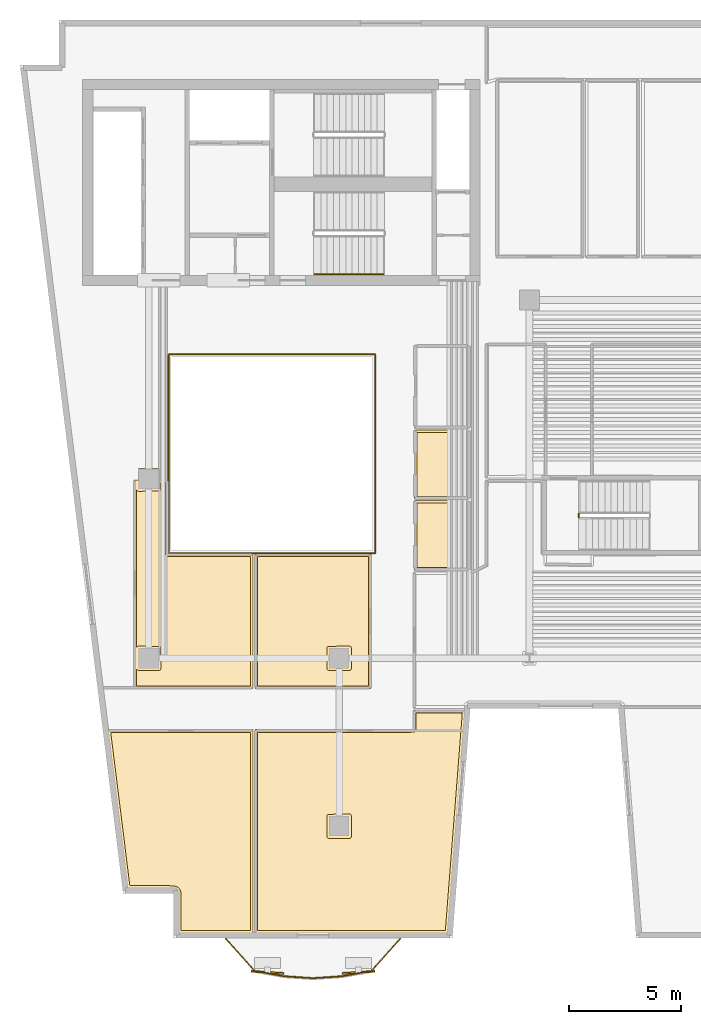
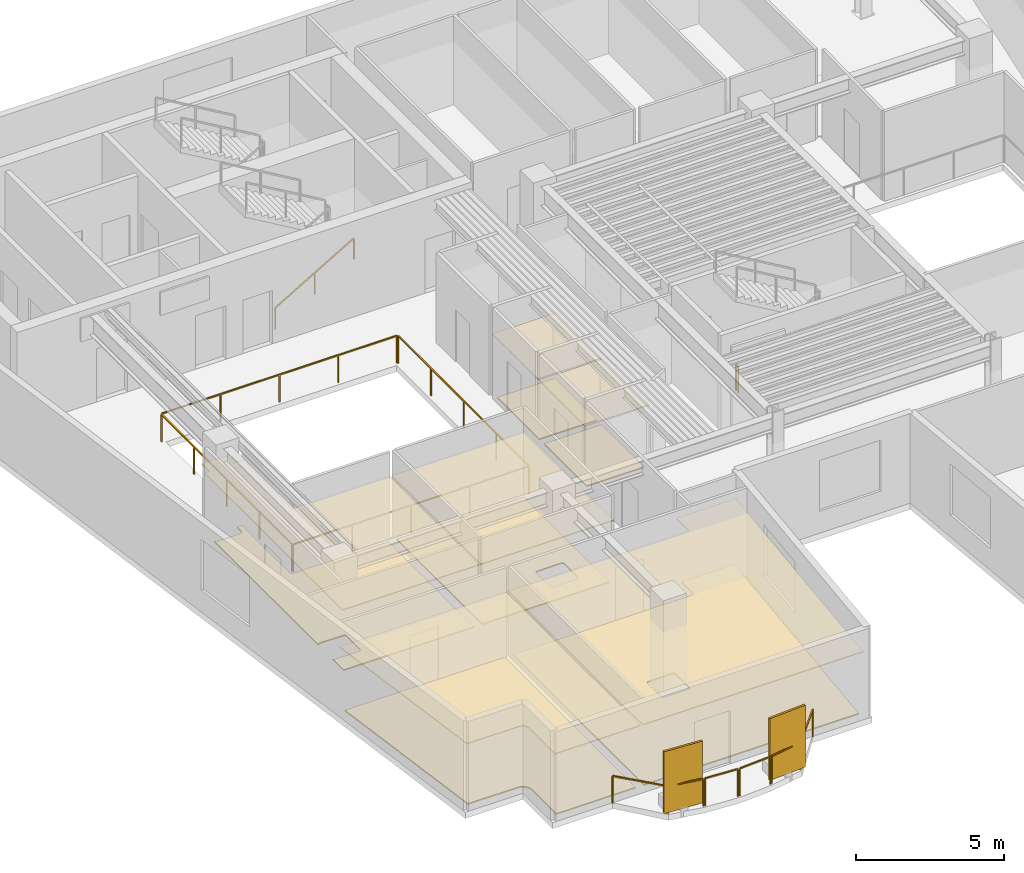
# One storey, part 7 of 9: 12 coverings, 12 railings, 2 shading devices.
"""IFC4 building model written with IfcOpenShell, lengths in metres."""

from ifc_helpers import new_model, si_unit, direction, frame, origin, origin_2d, place, context, subcontext, project, spatial, polyline, rectangle, outline, extrude, material, layer, layer_set, type_object, element, save


model = new_model("IFC4")

# Units and contexts
model_context = context("Model", 3, precision=1e-05, world=origin(), true_north=direction((0.0, 1.0)))
body_context = subcontext(model_context, "Body", "Model", "MODEL_VIEW")
ifc_project = project(units=[si_unit("LENGTHUNIT", "METRE"), si_unit("AREAUNIT", "SQUARE_METRE"), si_unit("VOLUMEUNIT", "CUBIC_METRE"), si_unit("PLANEANGLEUNIT", "RADIAN"), si_unit("MASSUNIT", "GRAM", prefix="KILO")], contexts=[model_context])

# Site, building, storey
site_placement = place(None, origin())
site = spatial("IfcSite", under=ifc_project, at=site_placement, CompositionType="ELEMENT")
building_placement = place(site_placement, origin())
building = spatial("IfcBuilding", under=site, at=building_placement, Name="Caeloran Harvest Quay", CompositionType="ELEMENT")
storey_placement = place(building_placement, frame((0.0, 0.0, 195.60009765625)))
storey = spatial("IfcBuildingStorey", under=building, at=storey_placement, Name="L46", CompositionType="ELEMENT", Elevation=195.60009765625)

# Coverings
ifc_material_1 = material(Name="Perforated Mineral-Fibre Acoustic Ceiling Tile", Category="ceiling")
ifc_layer_1 = layer(ifc_material_1, 0.0400390625, Name="Perforated Mineral-Fibre Acoustic Ceiling Tile")
ifc_layer_set_1 = layer_set([ifc_layer_1], Name="Perforated Mineral-Fibre Acoustic Ceiling Tile")
covering_type_1 = type_object("IfcCoveringType", Name="COV-CEILING-ACOUSTIC", PredefinedType="CEILING", material=ifc_layer_set_1)
covering_1_placement = place(storey_placement, frame((0.0, 0.0, 2.599853515625)))
element("IfcCovering", 1, at=covering_1_placement, inside=storey, type_object=covering_type_1, Name="L46 Female Washroom WC Acoustic Ceiling", PredefinedType="CEILING", context=body_context, shape_type="SweptSolid", body=[
    extrude(outline(polyline([(22.840087890625, 25.18994140625), (22.840087890625, 22.110107421875), (20.360107421875, 22.110107421875), (20.360107421875, 25.18994140625), (22.840087890625, 25.18994140625)])), origin(), (0.0, 0.0, 1.0), 0.0400390625),
])
covering_2_placement = place(storey_placement, frame((0.0, 0.0, 2.599853515625)))
element("IfcCovering", 2, at=covering_2_placement, inside=storey, type_object=covering_type_1, Name="L46 Accessible Unisex Washroom WC Acoustic Ceiling", PredefinedType="CEILING", context=body_context, shape_type="SweptSolid", body=[
    extrude(outline(polyline([(22.840087890625, 22.0400390625), (22.840087890625, 18.919921875), (20.360107421875, 18.919921875), (20.360107421875, 22.0400390625), (22.840087890625, 22.0400390625)])), origin(), (0.0, 0.0, 1.0), 0.0400390625),
])
covering_3_placement = place(storey_placement, frame((0.0, 0.0, 2.599853515625)))
element("IfcCovering", 3, at=covering_3_placement, inside=storey, type_object=covering_type_1, Name="Green-Bond Investment Office Acoustic Ceiling", PredefinedType="CEILING", context=body_context, shape_type="SweptSolid", body=[
    extrude(outline(polyline([(20.31005859375, 12.679931640625), (22.630859375, 12.679931640625), (21.853515625, 2.719970703125), (13.239990234375, 2.719970703125), (13.239990234375, 11.81005859375), (20.31005859375, 11.81005859375), (20.31005859375, 12.679931640625)])), origin(), (0.0, 0.0, 1.0), 0.0400390625),
])
covering_4_placement = place(storey_placement, frame((0.0, 0.0, 2.599853515625)))
element("IfcCovering", 4, at=covering_4_placement, inside=storey, type_object=covering_type_1, Name="ESG Carbon Desk Workspace Acoustic Ceiling", PredefinedType="CEILING", context=body_context, shape_type="SweptSolid", body=[
    extrude(outline(polyline([(9.80615234375, 4.584228515625), (9.742431640625, 4.669921875), (9.62451171875, 4.718994140625), (7.54833984375, 4.719970703125), (6.666015625, 11.81005859375), (13.159912109375, 11.81005859375), (13.159912109375, 2.719970703125), (9.822998046875, 2.719970703125), (9.822998046875, 4.4990234375), (9.80615234375, 4.584228515625)])), origin(), (0.0, 0.0, 1.0), 0.0400390625),
])
covering_5_placement = place(storey_placement, frame((0.0, 0.0, 2.599853515625)))
element("IfcCovering", 5, at=covering_5_placement, inside=storey, type_object=covering_type_1, Name="Executive Partner Office Acoustic Ceiling", PredefinedType="CEILING", context=body_context, shape_type="SweptSolid", body=[
    extrude(outline(polyline([(18.429931640625, 13.639892578125), (13.239990234375, 13.639892578125), (13.239990234375, 19.659912109375), (18.429931640625, 19.659912109375), (18.429931640625, 13.639892578125)])), origin(), (0.0, 0.0, 1.0), 0.0400390625),
])
covering_6_placement = place(storey_placement, frame((0.0, 0.0, 2.599853515625)))
element("IfcCovering", 6, at=covering_6_placement, inside=storey, type_object=covering_type_1, Name="Client Pitch Conference Room Acoustic Ceiling", PredefinedType="CEILING", context=body_context, shape_type="SweptSolid", body=[
    extrude(outline(polyline([(13.159912109375, 13.639892578125), (7.840087890625, 13.639892578125), (7.840087890625, 22.9599609375), (8.030029296875, 22.9599609375), (8.030029296875, 23.469970703125), (8.969970703125, 23.469970703125), (8.969970703125, 22.9599609375), (9.360107421875, 22.9599609375), (9.360107421875, 19.659912109375), (13.159912109375, 19.659912109375), (13.159912109375, 13.639892578125)])), origin(), (0.0, 0.0, 1.0), 0.0400390625),
])
ifc_material_2 = material(Name="Calcium-Sulphate Raised Access Floor and Terrazzo Finish", Category="flooring")
ifc_layer_2 = layer(ifc_material_2, 0.050048828125, Name="Calcium-Sulphate Raised Access Floor and Terrazzo Finish")
ifc_layer_set_2 = layer_set([ifc_layer_2], Name="Calcium-Sulphate Raised Access Floor and Terrazzo Finish")
covering_type_2 = type_object("IfcCoveringType", Name="COV-FLOOR-RAISED", PredefinedType="FLOORING", material=ifc_layer_set_2)
covering_7_placement = place(storey_placement, origin())
element("IfcCovering", 7, at=covering_7_placement, inside=storey, type_object=covering_type_2, Name="L46 Female Washroom WC Raised Finish Flooring", PredefinedType="FLOORING", context=body_context, shape_type="SweptSolid", body=[
    extrude(outline(polyline([(22.719970703125, 25.070068359375), (22.719970703125, 22.22998046875), (20.47998046875, 22.22998046875), (20.47998046875, 25.070068359375), (22.719970703125, 25.070068359375)])), origin(), (0.0, 0.0, 1.0), 0.0498046875),
])
covering_8_placement = place(storey_placement, origin())
element("IfcCovering", 8, at=covering_8_placement, inside=storey, type_object=covering_type_2, Name="L46 Accessible Unisex Washroom WC Raised Finish Flooring", PredefinedType="FLOORING", context=body_context, shape_type="SweptSolid", body=[
    extrude(outline(polyline([(22.719970703125, 21.919921875), (22.719970703125, 19.0400390625), (20.47998046875, 19.0400390625), (20.47998046875, 21.919921875), (22.719970703125, 21.919921875)])), origin(), (0.0, 0.0, 1.0), 0.0498046875),
])
covering_9_placement = place(storey_placement, origin())
element("IfcCovering", 9, at=covering_9_placement, inside=storey, type_object=covering_type_2, Name="Green-Bond Investment Office Raised Finish Flooring", PredefinedType="FLOORING", context=body_context, shape_type="SweptSolid", body=[
    extrude(outline(polyline([(20.34814453125, 11.693603515625), (20.402587890625, 11.727294921875), (20.4296875, 11.793212890625), (20.429931640625, 12.56005859375), (22.501220703125, 12.56005859375), (21.742431640625, 2.840087890625), (13.360107421875, 2.840087890625), (13.360107421875, 11.68994140625), (20.34814453125, 11.693603515625)]), holes=[polyline([(17.465087890625, 8.044921875), (16.484130859375, 8.02685546875), (16.455322265625, 7.972900390625), (16.455078125, 7.034912109375), (16.478515625, 6.978515625), (16.534912109375, 6.955078125), (17.465087890625, 6.955078125), (17.521484375, 6.978515625), (17.544921875, 7.034912109375), (17.544921875, 7.965087890625), (17.521484375, 8.021484375), (17.465087890625, 8.044921875)])]), origin(), (0.0, 0.0, 1.0), 0.0498046875),
])
covering_10_placement = place(storey_placement, origin())
element("IfcCovering", 10, at=covering_10_placement, inside=storey, type_object=covering_type_2, Name="ESG Carbon Desk Workspace Raised Finish Flooring", PredefinedType="FLOORING", context=body_context, shape_type="SweptSolid", body=[
    extrude(outline(polyline([(9.91845703125, 4.62646484375), (9.815673828125, 4.76513671875), (9.63232421875, 4.838623046875), (7.654296875, 4.840087890625), (6.8017578125, 11.68994140625), (13.0400390625, 11.68994140625), (13.0400390625, 2.840087890625), (9.943115234375, 2.840087890625), (9.943115234375, 4.5), (9.91845703125, 4.62646484375)])), origin(), (0.0, 0.0, 1.0), 0.0498046875),
])
covering_11_placement = place(storey_placement, origin())
element("IfcCovering", 11, at=covering_11_placement, inside=storey, type_object=covering_type_2, Name="Executive Partner Office Raised Finish Flooring", PredefinedType="FLOORING", context=body_context, shape_type="SweptSolid", body=[
    extrude(outline(polyline([(18.31005859375, 19.5400390625), (18.31005859375, 13.760009765625), (13.360107421875, 13.760009765625), (13.360107421875, 19.5400390625), (18.31005859375, 19.5400390625)]), holes=[polyline([(17.465087890625, 15.544921875), (16.484130859375, 15.52685546875), (16.455322265625, 15.472900390625), (16.455078125, 14.534912109375), (16.478515625, 14.478515625), (16.534912109375, 14.455078125), (17.465087890625, 14.455078125), (17.521484375, 14.478515625), (17.544921875, 14.534912109375), (17.544921875, 15.465087890625), (17.521484375, 15.521484375), (17.465087890625, 15.544921875)])]), origin(), (0.0, 0.0, 1.0), 0.0498046875),
])
covering_12_placement = place(storey_placement, origin())
element("IfcCovering", 12, at=covering_12_placement, inside=storey, type_object=covering_type_2, Name="Client Pitch Conference Room Raised Finish Flooring", PredefinedType="FLOORING", context=body_context, shape_type="SweptSolid", body=[
    extrude(outline(polyline([(7.9599609375, 14.50732421875), (8.027099609375, 14.455322265625), (8.965087890625, 14.455078125), (9.021484375, 14.478515625), (9.044921875, 14.534912109375), (9.044921875, 15.465087890625), (9.015869140625, 15.52685546875), (8.034912109375, 15.544921875), (7.9599609375, 15.49267578125), (7.9599609375, 22.50732421875), (8.034912109375, 22.455078125), (8.98828125, 22.45849609375), (9.04345703125, 22.519287109375), (9.044921875, 22.840087890625), (9.239990234375, 22.840087890625), (9.239990234375, 19.64990234375), (9.277099609375, 19.5673828125), (9.35009765625, 19.5400390625), (13.0400390625, 19.5400390625), (13.0400390625, 13.760009765625), (7.9599609375, 13.760009765625), (7.9599609375, 14.50732421875)])), origin(), (0.0, 0.0, 1.0), 0.0498046875),
])

# Railings
ifc_material_3 = material(Name="Powder-Coated Steel Post and Laminated Glass Guardrail", Category="steel")
ifc_layer_3 = layer(ifc_material_3, 0.06005859375, Name="Powder-Coated Steel Post and Laminated Glass Guardrail")
ifc_layer_set_3 = layer_set([ifc_layer_3], Name="Powder-Coated Steel Post and Laminated Glass Guardrail")
railing_type_1 = type_object("IfcRailingType", Name="GUARD-ATRIUM-1150", PredefinedType="GUARDRAIL", material=ifc_layer_set_3)
railing_1_placement = place(storey_placement, frame((9.412109375, 19.679931640625, 0.0)))
element("IfcRailing", 13, at=railing_1_placement, inside=storey, type_object=railing_type_1, Name="L46 Skylit Atrium Void Perimeter Guardrail Seg 1", PredefinedType="GUARDRAIL", context=body_context, shape_type="SweptSolid", body=[
    extrude(rectangle(XDim=0.048095703125, YDim=0.048095703125, at=origin_2d()), frame((0.0, 0.0, 1.1259765625), z_axis=(1.0, 0.0, 0.0), x_axis=(0.0, 1.0, 0.0)), (0.0, 0.0, 1.0), 9.17578125),
    extrude(rectangle(XDim=0.0419921875, YDim=0.0419921875, at=origin_2d()), origin(), (0.0, 0.0, 1.0), 1.101806640625),
    extrude(rectangle(XDim=0.0419921875, YDim=0.0419921875, at=origin_2d()), frame((2.2939453125, 0.0, 0.0)), (0.0, 0.0, 1.0), 1.101806640625),
    extrude(rectangle(XDim=0.0419921875, YDim=0.0419921875, at=origin_2d()), frame((4.587890625, 0.0, 0.0)), (0.0, 0.0, 1.0), 1.101806640625),
    extrude(rectangle(XDim=0.0419921875, YDim=0.0419921875, at=origin_2d()), frame((6.8818359375, 0.0, 0.0)), (0.0, 0.0, 1.0), 1.101806640625),
    extrude(rectangle(XDim=0.0419921875, YDim=0.0419921875, at=origin_2d()), frame((9.17578125, 0.0, 0.0)), (0.0, 0.0, 1.0), 1.101806640625),
])
railing_2_placement = place(storey_placement, frame((18.6201171875, 19.7119140625, 0.0)))
element("IfcRailing", 14, at=railing_2_placement, inside=storey, type_object=railing_type_1, Name="L46 Skylit Atrium Void Perimeter Guardrail Seg 2", PredefinedType="GUARDRAIL", context=body_context, shape_type="SweptSolid", body=[
    extrude(rectangle(XDim=0.048095703125, YDim=0.048095703125, at=origin_2d()), frame((0.0, 0.0, 1.1259765625), z_axis=(0.0, 1.0, 0.0), x_axis=(-1.0, 0.0, 0.0)), (0.0, 0.0, 1.0), 8.826171875),
    extrude(rectangle(XDim=0.0419921875, YDim=0.0419921875, at=origin_2d()), origin(), (0.0, 0.0, 1.0), 1.101806640625),
    extrude(rectangle(XDim=0.0419921875, YDim=0.0419921875, at=origin_2d()), frame((0.0, 2.20654296875, 0.0)), (0.0, 0.0, 1.0), 1.101806640625),
    extrude(rectangle(XDim=0.0419921875, YDim=0.0419921875, at=origin_2d()), frame((0.0, 4.4130859375, 0.0)), (0.0, 0.0, 1.0), 1.101806640625),
    extrude(rectangle(XDim=0.0419921875, YDim=0.0419921875, at=origin_2d()), frame((0.0, 6.61962890625, 0.0)), (0.0, 0.0, 1.0), 1.101806640625),
    extrude(rectangle(XDim=0.0419921875, YDim=0.0419921875, at=origin_2d()), frame((0.0, 8.826171875, 0.0)), (0.0, 0.0, 1.0), 1.101806640625),
])
railing_3_placement = place(storey_placement, frame((18.587890625, 28.570068359375, 0.0)))
element("IfcRailing", 15, at=railing_3_placement, inside=storey, type_object=railing_type_1, Name="L46 Skylit Atrium Void Perimeter Guardrail Seg 3", PredefinedType="GUARDRAIL", context=body_context, shape_type="SweptSolid", body=[
    extrude(rectangle(XDim=0.048095703125, YDim=0.048095703125, at=origin_2d()), frame((0.0, 0.0, 1.1259765625), z_axis=(-1.0, 0.0, 0.0), x_axis=(0.0, -1.0, 0.0)), (0.0, 0.0, 1.0), 9.17578125),
    extrude(rectangle(XDim=0.0419921875, YDim=0.0419921875, at=origin_2d()), origin(), (0.0, 0.0, 1.0), 1.101806640625),
    extrude(rectangle(XDim=0.0419921875, YDim=0.0419921875, at=origin_2d()), frame((-2.2939453125, 0.0, 0.0)), (0.0, 0.0, 1.0), 1.101806640625),
    extrude(rectangle(XDim=0.0419921875, YDim=0.0419921875, at=origin_2d()), frame((-4.587890625, 0.0, 0.0)), (0.0, 0.0, 1.0), 1.101806640625),
    extrude(rectangle(XDim=0.0419921875, YDim=0.0419921875, at=origin_2d()), frame((-6.8818359375, 0.0, 0.0)), (0.0, 0.0, 1.0), 1.101806640625),
    extrude(rectangle(XDim=0.0419921875, YDim=0.0419921875, at=origin_2d()), frame((-9.17578125, 0.0, 0.0)), (0.0, 0.0, 1.0), 1.101806640625),
])
railing_4_placement = place(storey_placement, frame((9.3798828125, 28.5380859375, 0.0)))
element("IfcRailing", 16, at=railing_4_placement, inside=storey, type_object=railing_type_1, Name="L46 Skylit Atrium Void Perimeter Guardrail Seg 4", PredefinedType="GUARDRAIL", context=body_context, shape_type="SweptSolid", body=[
    extrude(rectangle(XDim=0.048095703125, YDim=0.048095703125, at=origin_2d()), frame((0.0, 0.0, 1.1259765625), z_axis=(0.0, -1.0, 0.0), x_axis=(1.0, 0.0, 0.0)), (0.0, 0.0, 1.0), 8.826171875),
    extrude(rectangle(XDim=0.0419921875, YDim=0.0419921875, at=origin_2d()), origin(), (0.0, 0.0, 1.0), 1.101806640625),
    extrude(rectangle(XDim=0.0419921875, YDim=0.0419921875, at=origin_2d()), frame((0.0, -2.20654296875, 0.0)), (0.0, 0.0, 1.0), 1.101806640625),
    extrude(rectangle(XDim=0.0419921875, YDim=0.0419921875, at=origin_2d()), frame((0.0, -4.4130859375, 0.0)), (0.0, 0.0, 1.0), 1.101806640625),
    extrude(rectangle(XDim=0.0419921875, YDim=0.0419921875, at=origin_2d()), frame((0.0, -6.61962890625, 0.0)), (0.0, 0.0, 1.0), 1.101806640625),
    extrude(rectangle(XDim=0.0419921875, YDim=0.0419921875, at=origin_2d()), frame((0.0, -8.826171875, 0.0)), (0.0, 0.0, 1.0), 1.101806640625),
])
ifc_material_4 = material(Name="Laminated Safety Glass and Stainless Steel 316", Category="steel")
ifc_layer_4 = layer(ifc_material_4, 0.06005859375, Name="Laminated Safety Glass and Stainless Steel 316")
ifc_layer_set_4 = layer_set([ifc_layer_4], Name="Laminated Safety Glass and Stainless Steel 316")
railing_type_2 = type_object("IfcRailingType", Name="GUARD-BALUSTRADE-1150", PredefinedType="BALUSTRADE", material=ifc_layer_set_4)
railing_5_placement = place(storey_placement, frame((19.73974609375, 2.47998046875, 0.0)))
element("IfcRailing", 17, at=railing_5_placement, inside=storey, type_object=railing_type_2, Name="L46 Planted Balcony Perimeter Balustrade Guard Seg 1", PredefinedType="BALUSTRADE", context=body_context, shape_type="SweptSolid", body=[
    extrude(rectangle(XDim=0.048095703125, YDim=0.048095703125, at=origin_2d()), frame((0.0, 0.0, 1.1259765625), z_axis=(-0.669324291262, -0.742970385094, 0.0), x_axis=(0.742970385094, -0.669324291262, 0.0)), (0.0, 0.0, 1.0), 1.912841796875),
    extrude(rectangle(XDim=0.0419921875, YDim=0.0419921875, at=origin_2d()), origin(), (0.0, 0.0, 1.0), 1.101806640625),
    extrude(rectangle(XDim=0.0419921875, YDim=0.0419921875, at=origin_2d()), frame((-1.2802734375, -1.421142578125, 0.0)), (0.0, 0.0, 1.0), 1.101806640625),
])
railing_6_placement = place(storey_placement, frame((18.406494140625, 1.029296875, 0.0)))
element("IfcRailing", 18, at=railing_6_placement, inside=storey, type_object=railing_type_2, Name="L46 Planted Balcony Perimeter Balustrade Guard Seg 2", PredefinedType="BALUSTRADE", context=body_context, shape_type="SweptSolid", body=[
    extrude(rectangle(XDim=0.048095703125, YDim=0.048095703125, at=origin_2d()), frame((0.0, 0.0, 1.1259765625), z_axis=(-0.9837112937, -0.179755641486, 0.0), x_axis=(0.179755641486, -0.9837112937, 0.0)), (0.0, 0.0, 1.0), 1.259033203125),
    extrude(rectangle(XDim=0.0419921875, YDim=0.0419921875, at=origin_2d()), origin(), (0.0, 0.0, 1.0), 1.101806640625),
    extrude(rectangle(XDim=0.0419921875, YDim=0.0419921875, at=origin_2d()), frame((-1.238525390625, -0.226318359375, 0.0)), (0.0, 0.0, 1.0), 1.101806640625),
])
railing_7_placement = place(storey_placement, frame((17.1044921875, 0.794921875, 0.0)))
element("IfcRailing", 19, at=railing_7_placement, inside=storey, type_object=railing_type_2, Name="L46 Planted Balcony Perimeter Balustrade Guard Seg 3", PredefinedType="BALUSTRADE", context=body_context, shape_type="SweptSolid", body=[
    extrude(rectangle(XDim=0.048095703125, YDim=0.048095703125, at=origin_2d()), frame((0.0, 0.0, 1.1259765625), z_axis=(-0.997772076724, -0.066714937674, 0.0), x_axis=(0.066714937674, -0.997772076724, 0.0)), (0.0, 0.0, 1.0), 1.240478515625),
    extrude(rectangle(XDim=0.0419921875, YDim=0.0419921875, at=origin_2d()), origin(), (0.0, 0.0, 1.0), 1.101806640625),
    extrude(rectangle(XDim=0.0419921875, YDim=0.0419921875, at=origin_2d()), frame((-1.23779296875, -0.082763671875, 0.0)), (0.0, 0.0, 1.0), 1.101806640625),
])
railing_8_placement = place(storey_placement, frame((15.802978515625, 0.712158203125, 0.0)))
element("IfcRailing", 20, at=railing_8_placement, inside=storey, type_object=railing_type_2, Name="L46 Planted Balcony Perimeter Balustrade Guard Seg 4", PredefinedType="BALUSTRADE", context=body_context, shape_type="SweptSolid", body=[
    extrude(rectangle(XDim=0.048095703125, YDim=0.048095703125, at=origin_2d()), frame((0.0, 0.0, 1.1259765625), z_axis=(-0.997772952397, 0.066701840044, 0.0), x_axis=(-0.066701840044, -0.997772952397, 0.0)), (0.0, 0.0, 1.0), 1.24072265625),
    extrude(rectangle(XDim=0.0419921875, YDim=0.0419921875, at=origin_2d()), origin(), (0.0, 0.0, 1.0), 1.101806640625),
    extrude(rectangle(XDim=0.0419921875, YDim=0.0419921875, at=origin_2d()), frame((-1.238037109375, 0.082763671875, 0.0)), (0.0, 0.0, 1.0), 1.101806640625),
])
railing_9_placement = place(storey_placement, frame((14.501708984375, 0.802978515625, 0.0)))
element("IfcRailing", 21, at=railing_9_placement, inside=storey, type_object=railing_type_2, Name="L46 Planted Balcony Perimeter Balustrade Guard Seg 5", PredefinedType="BALUSTRADE", context=body_context, shape_type="SweptSolid", body=[
    extrude(rectangle(XDim=0.048095703125, YDim=0.048095703125, at=origin_2d()), frame((0.0, 0.0, 1.1259765625), z_axis=(-0.983717557583, 0.179721359062, 0.0), x_axis=(-0.179721359062, -0.983717557583, 0.0)), (0.0, 0.0, 1.0), 1.25927734375),
    extrude(rectangle(XDim=0.0419921875, YDim=0.0419921875, at=origin_2d()), origin(), (0.0, 0.0, 1.0), 1.101806640625),
    extrude(rectangle(XDim=0.0419921875, YDim=0.0419921875, at=origin_2d()), frame((-1.23876953125, 0.226318359375, 0.0)), (0.0, 0.0, 1.0), 1.101806640625),
])
railing_10_placement = place(storey_placement, frame((13.210205078125, 1.058837890625, 0.0)))
element("IfcRailing", 22, at=railing_10_placement, inside=storey, type_object=railing_type_2, Name="L46 Planted Balcony Perimeter Balustrade Guard Seg 6", PredefinedType="BALUSTRADE", context=body_context, shape_type="SweptSolid", body=[
    extrude(rectangle(XDim=0.048095703125, YDim=0.048095703125, at=origin_2d()), frame((0.0, 0.0, 1.1259765625), z_axis=(-0.66939473806, 0.742906915204, 0.0), x_axis=(-0.742906915204, -0.66939473806, 0.0)), (0.0, 0.0, 1.0), 1.912841796875),
    extrude(rectangle(XDim=0.0419921875, YDim=0.0419921875, at=origin_2d()), origin(), (0.0, 0.0, 1.0), 1.101806640625),
    extrude(rectangle(XDim=0.0419921875, YDim=0.0419921875, at=origin_2d()), frame((-1.280517578125, 1.421142578125, 0.0)), (0.0, 0.0, 1.0), 1.101806640625),
])

# Shading devices
ifc_material_5 = material(Name="3003-H14 Perforated Powder-Coated Aluminium", Category="aluminium")
shading_device_type = type_object("IfcShadingDeviceType", Name="SHADE-SCREEN-FOLDED", PredefinedType="USERDEFINED", material=ifc_material_5)
for number, where, z_axis, x_axis, name in (
    (23, (17.865478515625, 0.969970703125, 0.07470703125), (0.0, 0.0, 1.0), (0.997801468292, 0.0662739004, 0.0), "L46 Folded Facade Breathing Screen 1"),
    (24, (13.80419921875, 0.969970703125, 0.07470703125), (0.0, 0.0, 1.0), (0.997801468292, -0.0662739004, 0.0), "L46 Folded Facade Breathing Screen 2"),
):
    element("IfcShadingDevice", number, at=place(storey_placement, frame(where, z_axis=z_axis, x_axis=x_axis)), inside=storey, type_object=shading_device_type, Name=name, ObjectType="SCREEN", PredefinedType="USERDEFINED", context=body_context, shape_type="SweptSolid", body=[
        extrude(rectangle(XDim=1.449951171875, YDim=0.080078125, at=origin_2d()), origin(), (0.0, 0.0, 1.0), 2.550048828125),
    ])

# Railings
ifc_material_6 = material(Name="Painted Steel Baluster and Top-Rail Stair Guard", Category="steel")
ifc_layer_5 = layer(ifc_material_6, 0.050048828125, Name="Painted Steel Baluster and Top-Rail Stair Guard")
ifc_layer_set_5 = layer_set([ifc_layer_5], Name="Painted Steel Baluster and Top-Rail Stair Guard")
railing_type_3 = type_object("IfcRailingType", Name="STAIR-GUARD-1100", PredefinedType="GUARDRAIL", material=ifc_layer_set_5)
railing_11_placement = place(storey_placement, frame((27.699951171875, 21.300048828125, 0.0)))
element("IfcRailing", 25, at=railing_11_placement, inside=storey, type_object=railing_type_3, Name="L46 ST-W1 stair guard 4", PredefinedType="GUARDRAIL", context=body_context, shape_type="SweptSolid", body=[
    extrude(rectangle(XDim=0.048095703125, YDim=0.048095703125, at=origin_2d()), frame((0.0, 0.0, 1.076171875), z_axis=(0.0, 1.0, 0.0), x_axis=(-1.0, 0.0, 0.0)), (0.0, 0.0, 1.0), 0.14990234375),
    extrude(rectangle(XDim=0.0419921875, YDim=0.0419921875, at=origin_2d()), origin(), (0.0, 0.0, 1.0), 1.052001953125),
    extrude(rectangle(XDim=0.0419921875, YDim=0.0419921875, at=origin_2d()), frame((0.0, 0.14990234375, 0.0)), (0.0, 0.0, 1.0), 1.052001953125),
])
ifc_material_7 = material(Name="Brushed Stainless Steel Grade 304", Category="steel")
ifc_layer_6 = layer(ifc_material_7, 0.050048828125, Name="Brushed Stainless Steel Grade 304")
ifc_layer_set_6 = layer_set([ifc_layer_6], Name="Brushed Stainless Steel Grade 304")
railing_type_4 = type_object("IfcRailingType", Name="STAIR-HANDRAIL-900", PredefinedType="HANDRAIL", material=ifc_layer_set_6)
railing_12_placement = place(storey_placement, frame((15.89990234375, 32.14990234375, 0.16455078125)))
element("IfcRailing", 26, at=railing_12_placement, inside=storey, type_object=railing_type_4, Name="L46 ST-C2 stair handrail 1", PredefinedType="HANDRAIL", context=body_context, shape_type="SweptSolid", body=[
    extrude(rectangle(XDim=0.048095703125, YDim=0.048095703125, at=origin_2d()), frame((0.0, 0.0, 0.8759765625), z_axis=(0.862118610829, 0.0, 0.506706523406), x_axis=(0.0, 1.0, 0.0)), (0.0, 0.0, 1.0), 3.57275390625),
    extrude(rectangle(XDim=0.0419921875, YDim=0.0419921875, at=origin_2d()), origin(), (0.0, 0.0, 1.0), 0.851806640625),
    extrude(rectangle(XDim=0.0419921875, YDim=0.0419921875, at=origin_2d()), frame((1.5400390625, 0.0, 0.9052734375)), (0.0, 0.0, 1.0), 0.851806640625),
    extrude(rectangle(XDim=0.0419921875, YDim=0.0419921875, at=origin_2d()), frame((3.080078125, 0.0, 1.810302734375)), (0.0, 0.0, 1.0), 0.851806640625),
])

save(model, "model.ifc")
